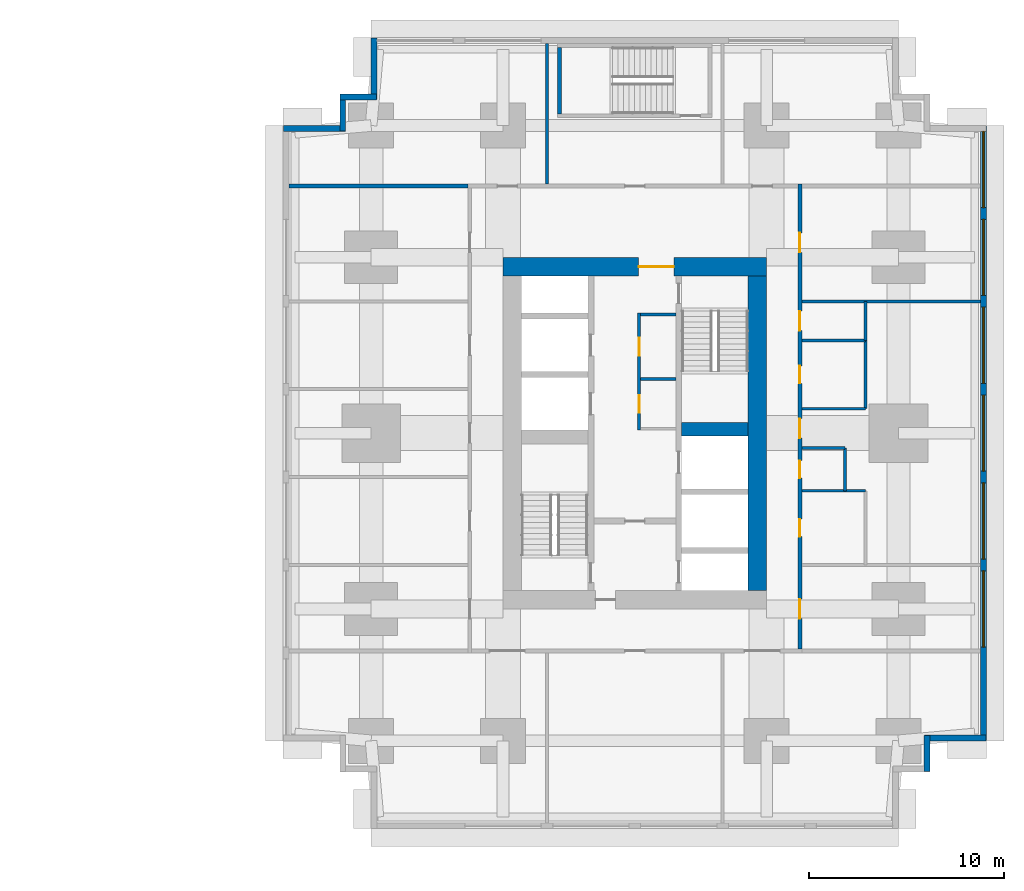
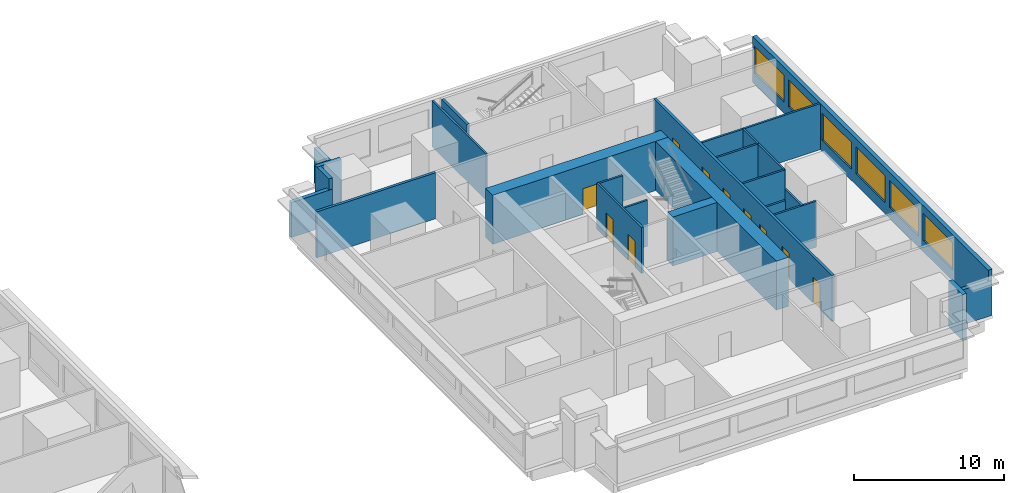
# One storey, part 7 of 11: 25 walls, 10 doors, 6 windows, 16 openings.
"""IFC4 building model written with IfcOpenShell, lengths in metres."""

from ifc_helpers import new_model, si_unit, direction, frame, frame_2d, origin, place, context, subcontext, project, spatial, rectangle, extrude, material, layer, layer_set, type_object, element, fill, save


model = new_model("IFC4")

# Units and contexts
model_context = context("Model", 3, precision=1e-05, world=origin(), true_north=direction((0.0, 1.0)))
body_context = subcontext(model_context, "Body", "Model", "MODEL_VIEW")
ifc_project = project(units=[si_unit("LENGTHUNIT", "METRE"), si_unit("AREAUNIT", "SQUARE_METRE"), si_unit("VOLUMEUNIT", "CUBIC_METRE"), si_unit("PLANEANGLEUNIT", "RADIAN"), si_unit("MASSUNIT", "GRAM", prefix="KILO")], contexts=[model_context])

# Site, building, storey
site_placement = place(None, origin())
site = spatial("IfcSite", under=ifc_project, at=site_placement, CompositionType="ELEMENT")
building_placement = place(site_placement, origin())
building = spatial("IfcBuilding", under=site, at=building_placement, Name="Namib Vertical Campus", CompositionType="ELEMENT")
storey_placement = place(building_placement, frame((0.0, 0.0, 25.0)))
storey = spatial("IfcBuildingStorey", under=building, at=storey_placement, Name="L05", CompositionType="ELEMENT", Elevation=25.0)

# Walls
ifc_material_1 = material(Name="Concrete C60/75", Category="concrete")
ifc_layer_1 = layer(ifc_material_1, 0.699951171875)
ifc_layer_set_1 = layer_set([ifc_layer_1], Name="Concrete C60/75")
wall_type_1 = type_object("IfcWallType", Name="Core shear wall 700", PredefinedType="SHEAR", material=ifc_layer_set_1)
wall_1_placement = place(storey_placement, frame((83.39990234375, 20.449951171875, 0.0), z_axis=(0.0, 0.0, 1.0), x_axis=(1.0, 0.0, 0.0)))
element("IfcWall", 1, at=wall_1_placement, inside=storey, type_object=wall_type_1, Name="Core shear wall B L05 W7", PredefinedType="SHEAR", context=body_context, shape_type="SweptSolid", body=[
    extrude(rectangle(XDim=3.400146484375, YDim=0.699951171875, at=frame_2d((1.7001953125, 0.0))), origin(), (0.0, 0.0, 1.0), 4.0),
])
ifc_material_2 = material(Name="Concrete C60/75", Category="concrete")
ifc_layer_2 = layer(ifc_material_2, 0.949951171875)
ifc_layer_set_2 = layer_set([ifc_layer_2], Name="Concrete C60/75")
wall_type_2 = type_object("IfcWallType", Name="Core wall 950", PredefinedType="SHEAR", material=ifc_layer_set_2)
wall_2_placement = place(storey_placement, frame((87.27490234375, 12.199951171875, 0.0), z_axis=(0.0, 0.0, 1.0), x_axis=(0.0, 1.0, 0.0)))
element("IfcWall", 2, at=wall_2_placement, inside=storey, type_object=wall_type_2, Name="Core wall B L05 2", PredefinedType="SHEAR", context=body_context, shape_type="SweptSolid", body=[
    extrude(rectangle(XDim=16.10009765625, YDim=0.949951171875, at=frame_2d((8.050048828125, 0.0))), origin(), (0.0, 0.0, 1.0), 4.0),
])

# Wall, opening, door
wall_3_placement = place(storey_placement, frame((87.75, 28.77490234375, 0.0), z_axis=(0.0, 0.0, 1.0), x_axis=(-1.0, 0.0, 0.0)))
wall_3 = element("IfcWall", 3, at=wall_3_placement, inside=storey, type_object=wall_type_2, Name="Core wall B L05 3", PredefinedType="SHEAR", context=body_context, shape_type="SweptSolid", body=[
    extrude(rectangle(XDim=13.5, YDim=0.949951171875, at=frame_2d((6.75, 0.0))), origin(), (0.0, 0.0, 1.0), 4.0),
])
opening_1_placement = place(wall_3_placement, frame((4.75, 0.0, 0.0)))
opening_1 = element("IfcOpeningElement", 4, at=opening_1_placement, cuts=wall_3, Name="Opening FD2", PredefinedType="OPENING", context=body_context, shape_type="SweptSolid", body=[
    extrude(rectangle(XDim=1.800048828125, YDim=2.10009765625, at=frame_2d((0.89990234375, 1.050048828125))), frame((0.0, 0.48486328125, 0.0), z_axis=(0.0, -1.0, 0.0), x_axis=(1.0, 0.0, 0.0)), (0.0, 0.0, 1.0), 0.969970703125),
])
ifc_material_3 = material(Name="Steel fire door", Category="steel")
door_type_1 = type_object("IfcDoorType", Name="Fire door double 1800x2100", OperationType="DOUBLE_DOOR_SINGLE_SWING", PredefinedType="DOOR", material=ifc_material_3)
door_1_placement = place(opening_1_placement, origin())
door_1 = element("IfcDoor", 5, at=door_1_placement, inside=storey, type_object=door_type_1, Name="Lift lobby door FD2 B L05", OperationType="DOUBLE_DOOR_SINGLE_SWING", OverallHeight=2.10009765625, OverallWidth=1.800048828125, PredefinedType="DOOR", context=body_context, shape_type="SweptSolid", body=[
    extrude(rectangle(XDim=1.800048828125, YDim=2.10009765625, at=frame_2d((0.89990234375, 1.050048828125))), frame((0.0, 0.02490234375, 0.0), z_axis=(0.0, -1.0, 0.0), x_axis=(1.0, 0.0, 0.0)), (0.0, 0.0, 1.0), 0.050048828125),
])
fill(opening_1, door_1)

# Wall, openings, doors
ifc_material_4 = material(Name="Concrete masonry", Category="masonry")
ifc_layer_3 = layer(ifc_material_4, 0.199951171875)
ifc_layer_set_3 = layer_set([ifc_layer_3], Name="Corridor wall 200")
wall_type_3 = type_object("IfcWallType", Name="Corridor wall 200", PredefinedType="SOLIDWALL", material=ifc_layer_set_3)
wall_4_placement = place(storey_placement, frame((89.449951171875, 9.199951171875, 0.0), z_axis=(0.0, 0.0, 1.0), x_axis=(0.0, 1.0, 0.0)))
wall_4 = element("IfcWall", 6, at=wall_4_placement, inside=storey, type_object=wall_type_3, Name="Corridor wall B L05 CE", PredefinedType="SOLIDWALL", context=body_context, shape_type="SweptSolid", body=[
    extrude(rectangle(XDim=23.800048828125, YDim=0.199951171875, at=frame_2d((11.89990234375, 0.0))), origin(), (0.0, 0.0, 1.0), 3.75),
])
opening_2_placement = place(wall_4_placement, frame((1.550048828125, 0.0, 0.0)))
opening_2 = element("IfcOpeningElement", 7, at=opening_2_placement, cuts=wall_4, Name="Opening CD1", PredefinedType="OPENING", context=body_context, shape_type="SweptSolid", body=[
    extrude(rectangle(XDim=1.0, YDim=2.10009765625, at=frame_2d((0.5, 1.050048828125))), frame((0.0, 0.10986328125, 0.0), z_axis=(0.0, -1.0, 0.0), x_axis=(1.0, 0.0, 0.0)), (0.0, 0.0, 1.0), 0.219970703125),
])
opening_3_placement = place(wall_4_placement, frame((5.75, 0.0, 0.0)))
opening_3 = element("IfcOpeningElement", 8, at=opening_3_placement, cuts=wall_4, Name="Opening CD3", PredefinedType="OPENING", context=body_context, shape_type="SweptSolid", body=[
    extrude(rectangle(XDim=0.89990234375, YDim=2.10009765625, at=frame_2d((0.449951171875, 1.050048828125))), frame((0.0, 0.10986328125, 0.0), z_axis=(0.0, -1.0, 0.0), x_axis=(1.0, 0.0, 0.0)), (0.0, 0.0, 1.0), 0.219970703125),
])
opening_4_placement = place(wall_4_placement, frame((8.75, 0.0, 0.0)))
opening_4 = element("IfcOpeningElement", 9, at=opening_4_placement, cuts=wall_4, Name="Opening CD3", PredefinedType="OPENING", context=body_context, shape_type="SweptSolid", body=[
    extrude(rectangle(XDim=0.89990234375, YDim=2.10009765625, at=frame_2d((0.449951171875, 1.050048828125))), frame((0.0, 0.10986328125, 0.0), z_axis=(0.0, -1.0, 0.0), x_axis=(1.0, 0.0, 0.0)), (0.0, 0.0, 1.0), 0.219970703125),
])
opening_5_placement = place(wall_4_placement, frame((13.60009765625, 0.0, 0.0)))
opening_5 = element("IfcOpeningElement", 10, at=opening_5_placement, cuts=wall_4, Name="Opening CD3", PredefinedType="OPENING", context=body_context, shape_type="SweptSolid", body=[
    extrude(rectangle(XDim=0.89990234375, YDim=2.10009765625, at=frame_2d((0.449951171875, 1.050048828125))), frame((0.0, 0.10986328125, 0.0), z_axis=(0.0, -1.0, 0.0), x_axis=(1.0, 0.0, 0.0)), (0.0, 0.0, 1.0), 0.219970703125),
])
opening_6_placement = place(wall_4_placement, frame((16.300048828125, 0.0, 0.0)))
opening_6 = element("IfcOpeningElement", 11, at=opening_6_placement, cuts=wall_4, Name="Opening CD1", PredefinedType="OPENING", context=body_context, shape_type="SweptSolid", body=[
    extrude(rectangle(XDim=1.0, YDim=2.10009765625, at=frame_2d((0.5, 1.050048828125))), frame((0.0, 0.10986328125, 0.0), z_axis=(0.0, -1.0, 0.0), x_axis=(1.0, 0.0, 0.0)), (0.0, 0.0, 1.0), 0.219970703125),
])
opening_7_placement = place(wall_4_placement, frame((10.800048828125, 0.0, 0.0)))
opening_7 = element("IfcOpeningElement", 12, at=opening_7_placement, cuts=wall_4, Name="Opening CD1", PredefinedType="OPENING", context=body_context, shape_type="SweptSolid", body=[
    extrude(rectangle(XDim=1.0, YDim=2.10009765625, at=frame_2d((0.5, 1.050048828125))), frame((0.0, 0.10986328125, 0.0), z_axis=(0.0, -1.0, 0.0), x_axis=(1.0, 0.0, 0.0)), (0.0, 0.0, 1.0), 0.219970703125),
])
opening_8_placement = place(wall_4_placement, frame((20.300048828125, 0.0, 0.0)))
opening_8 = element("IfcOpeningElement", 13, at=opening_8_placement, cuts=wall_4, Name="Opening CD1", PredefinedType="OPENING", context=body_context, shape_type="SweptSolid", body=[
    extrude(rectangle(XDim=1.0, YDim=2.10009765625, at=frame_2d((0.5, 1.050048828125))), frame((0.0, 0.10986328125, 0.0), z_axis=(0.0, -1.0, 0.0), x_axis=(1.0, 0.0, 0.0)), (0.0, 0.0, 1.0), 0.219970703125),
])
ifc_material_5 = material(Name="Timber fire door leaf", Category="wood")
door_type_2 = type_object("IfcDoorType", Name="Corridor door 1000x2100 20 min", OperationType="SINGLE_SWING_LEFT", PredefinedType="DOOR", material=ifc_material_5)
door_2_placement = place(opening_2_placement, frame((1.0, 0.0, 0.0), z_axis=(0.0, 0.0, 1.0), x_axis=(-1.0, 0.0, 0.0)))
door_2 = element("IfcDoor", 14, at=door_2_placement, inside=storey, type_object=door_type_2, Name="Door CD1 B05-04", OperationType="SINGLE_SWING_RIGHT", OverallHeight=2.10009765625, OverallWidth=1.0, PredefinedType="DOOR", context=body_context, shape_type="SweptSolid", body=[
    extrude(rectangle(XDim=1.0, YDim=2.10009765625, at=frame_2d((0.5, 1.050048828125))), frame((0.0, 0.02490234375, 0.0), z_axis=(0.0, -1.0, 0.0), x_axis=(1.0, 0.0, 0.0)), (0.0, 0.0, 1.0), 0.050048828125),
])
fill(opening_2, door_2)
door_3_placement = place(opening_6_placement, frame((1.0, 0.0, 0.0), z_axis=(0.0, 0.0, 1.0), x_axis=(-1.0, 0.0, 0.0)))
door_3 = element("IfcDoor", 15, at=door_3_placement, inside=storey, type_object=door_type_2, Name="Door CD1 B05-08", OperationType="SINGLE_SWING_RIGHT", OverallHeight=2.10009765625, OverallWidth=1.0, PredefinedType="DOOR", context=body_context, shape_type="SweptSolid", body=[
    extrude(rectangle(XDim=1.0, YDim=2.10009765625, at=frame_2d((0.5, 1.050048828125))), frame((0.0, 0.02490234375, 0.0), z_axis=(0.0, -1.0, 0.0), x_axis=(1.0, 0.0, 0.0)), (0.0, 0.0, 1.0), 0.050048828125),
])
fill(opening_6, door_3)
door_4_placement = place(opening_7_placement, frame((1.0, 0.0, 0.0), z_axis=(0.0, 0.0, 1.0), x_axis=(-1.0, 0.0, 0.0)))
door_4 = element("IfcDoor", 16, at=door_4_placement, inside=storey, type_object=door_type_2, Name="Door CD1 B05-09", OperationType="SINGLE_SWING_RIGHT", OverallHeight=2.10009765625, OverallWidth=1.0, PredefinedType="DOOR", context=body_context, shape_type="SweptSolid", body=[
    extrude(rectangle(XDim=1.0, YDim=2.10009765625, at=frame_2d((0.5, 1.050048828125))), frame((0.0, 0.02490234375, 0.0), z_axis=(0.0, -1.0, 0.0), x_axis=(1.0, 0.0, 0.0)), (0.0, 0.0, 1.0), 0.050048828125),
])
fill(opening_7, door_4)
door_5_placement = place(opening_8_placement, frame((1.0, 0.0, 0.0), z_axis=(0.0, 0.0, 1.0), x_axis=(-1.0, 0.0, 0.0)))
door_5 = element("IfcDoor", 17, at=door_5_placement, inside=storey, type_object=door_type_2, Name="Door CD1 B05-10", OperationType="SINGLE_SWING_RIGHT", OverallHeight=2.10009765625, OverallWidth=1.0, PredefinedType="DOOR", context=body_context, shape_type="SweptSolid", body=[
    extrude(rectangle(XDim=1.0, YDim=2.10009765625, at=frame_2d((0.5, 1.050048828125))), frame((0.0, 0.02490234375, 0.0), z_axis=(0.0, -1.0, 0.0), x_axis=(1.0, 0.0, 0.0)), (0.0, 0.0, 1.0), 0.050048828125),
])
fill(opening_8, door_5)
ifc_material_6 = material(Name="Timber fire door leaf", Category="wood")
door_type_3 = type_object("IfcDoorType", Name="Corridor toilet door 900x2100 20 min", OperationType="SINGLE_SWING_LEFT", PredefinedType="DOOR", material=ifc_material_6)
door_6_placement = place(opening_3_placement, frame((0.89990234375, 0.0, 0.0), z_axis=(0.0, 0.0, 1.0), x_axis=(-1.0, 0.0, 0.0)))
door_6 = element("IfcDoor", 18, at=door_6_placement, inside=storey, type_object=door_type_3, Name="Door CD3 B05-05", OperationType="SINGLE_SWING_RIGHT", OverallHeight=2.10009765625, OverallWidth=0.89990234375, PredefinedType="DOOR", context=body_context, shape_type="SweptSolid", body=[
    extrude(rectangle(XDim=0.89990234375, YDim=2.10009765625, at=frame_2d((0.449951171875, 1.050048828125))), frame((0.0, 0.02490234375, 0.0), z_axis=(0.0, -1.0, 0.0), x_axis=(1.0, 0.0, 0.0)), (0.0, 0.0, 1.0), 0.050048828125),
])
fill(opening_3, door_6)
door_7_placement = place(opening_4_placement, frame((0.89990234375, 0.0, 0.0), z_axis=(0.0, 0.0, 1.0), x_axis=(-1.0, 0.0, 0.0)))
door_7 = element("IfcDoor", 19, at=door_7_placement, inside=storey, type_object=door_type_3, Name="Door CD3 B05-06", OperationType="SINGLE_SWING_RIGHT", OverallHeight=2.10009765625, OverallWidth=0.89990234375, PredefinedType="DOOR", context=body_context, shape_type="SweptSolid", body=[
    extrude(rectangle(XDim=0.89990234375, YDim=2.10009765625, at=frame_2d((0.449951171875, 1.050048828125))), frame((0.0, 0.02490234375, 0.0), z_axis=(0.0, -1.0, 0.0), x_axis=(1.0, 0.0, 0.0)), (0.0, 0.0, 1.0), 0.050048828125),
])
fill(opening_4, door_7)
door_8_placement = place(opening_5_placement, frame((0.89990234375, 0.0, 0.0), z_axis=(0.0, 0.0, 1.0), x_axis=(-1.0, 0.0, 0.0)))
door_8 = element("IfcDoor", 20, at=door_8_placement, inside=storey, type_object=door_type_3, Name="Door CD3 B05-07", OperationType="SINGLE_SWING_RIGHT", OverallHeight=2.10009765625, OverallWidth=0.89990234375, PredefinedType="DOOR", context=body_context, shape_type="SweptSolid", body=[
    extrude(rectangle(XDim=0.89990234375, YDim=2.10009765625, at=frame_2d((0.449951171875, 1.050048828125))), frame((0.0, 0.02490234375, 0.0), z_axis=(0.0, -1.0, 0.0), x_axis=(1.0, 0.0, 0.0)), (0.0, 0.0, 1.0), 0.050048828125),
])
fill(opening_5, door_8)

# Walls
wall_5_placement = place(storey_placement, frame((63.300048828125, 32.89990234375, 0.0), z_axis=(0.0, 0.0, 1.0), x_axis=(1.0, 0.0, 0.0)))
element("IfcWall", 21, at=wall_5_placement, inside=storey, type_object=wall_type_3, Name="Partition B L05 BNW", PredefinedType="SOLIDWALL", context=body_context, shape_type="SweptSolid", body=[
    extrude(rectangle(XDim=9.14990234375, YDim=0.199951171875, at=frame_2d((4.574951171875, 0.0))), origin(), (0.0, 0.0, 1.0), 3.75),
])
ifc_material_7 = material(Name="Concrete C40/50", Category="concrete")
ifc_layer_4 = layer(ifc_material_7, 0.300048828125)
ifc_layer_set_4 = layer_set([ifc_layer_4], Name="Concrete C40/50")
wall_type_4 = type_object("IfcWallType", Name="External wall 300 board-marked concrete", PredefinedType="STANDARD", material=ifc_layer_set_4)
wall_6_placement = place(storey_placement, frame((95.949951171875, 2.919921875, 0.0), z_axis=(0.0, 0.0, 1.0), x_axis=(0.0, 1.0, 0.0)))
element("IfcWall", 22, at=wall_6_placement, inside=storey, type_object=wall_type_4, Name="External wall L05 F04", PredefinedType="STANDARD", context=body_context, shape_type="SweptSolid", body=[
    extrude(rectangle(XDim=1.860107421875, YDim=0.300048828125, at=frame_2d((0.93017578125, 0.0))), origin(), (0.0, 0.0, 1.0), 3.75),
])
wall_7_placement = place(storey_placement, frame((95.820068359375, 4.64990234375, 0.0), z_axis=(0.0, 0.0, 1.0), x_axis=(1.0, 0.0, 0.0)))
element("IfcWall", 23, at=wall_7_placement, inside=storey, type_object=wall_type_4, Name="External wall L05 F05", PredefinedType="STANDARD", context=body_context, shape_type="SweptSolid", body=[
    extrude(rectangle(XDim=3.159912109375, YDim=0.300048828125, at=frame_2d((1.580078125, 0.0))), origin(), (0.0, 0.0, 1.0), 2.85009765625),
])

# Wall, openings, windows
wall_8_placement = place(storey_placement, frame((98.85009765625, 4.52001953125, 0.0), z_axis=(0.0, 0.0, 1.0), x_axis=(0.0, 1.0, 0.0)))
wall_8 = element("IfcWall", 24, at=wall_8_placement, inside=storey, type_object=wall_type_4, Name="External wall L05 F06", PredefinedType="STANDARD", context=body_context, shape_type="SweptSolid", body=[
    extrude(rectangle(XDim=31.4599609375, YDim=0.300048828125, at=frame_2d((15.72998046875, 0.0))), origin(), (0.0, 0.0, 1.0), 3.75),
])
opening_9_placement = place(wall_8_placement, frame((4.780029296875, 0.0, 0.89990234375)))
opening_9 = element("IfcOpeningElement", 25, at=opening_9_placement, cuts=wall_8, Name="Opening W1", PredefinedType="OPENING", context=body_context, shape_type="SweptSolid", body=[
    extrude(rectangle(XDim=3.89990234375, YDim=2.199951171875, at=frame_2d((1.949951171875, 1.10009765625))), frame((0.0, 0.159912109375, 0.0), z_axis=(0.0, -1.0, 0.0), x_axis=(1.0, 0.0, 0.0)), (0.0, 0.0, 1.0), 0.320068359375),
])
opening_10_placement = place(wall_8_placement, frame((9.280029296875, 0.0, 0.89990234375)))
opening_10 = element("IfcOpeningElement", 26, at=opening_10_placement, cuts=wall_8, Name="Opening W1", PredefinedType="OPENING", context=body_context, shape_type="SweptSolid", body=[
    extrude(rectangle(XDim=3.89990234375, YDim=2.199951171875, at=frame_2d((1.949951171875, 1.10009765625))), frame((0.0, 0.159912109375, 0.0), z_axis=(0.0, -1.0, 0.0), x_axis=(1.0, 0.0, 0.0)), (0.0, 0.0, 1.0), 0.320068359375),
])
opening_11_placement = place(wall_8_placement, frame((13.780029296875, 0.0, 0.89990234375)))
opening_11 = element("IfcOpeningElement", 27, at=opening_11_placement, cuts=wall_8, Name="Opening W1", PredefinedType="OPENING", context=body_context, shape_type="SweptSolid", body=[
    extrude(rectangle(XDim=3.89990234375, YDim=2.199951171875, at=frame_2d((1.949951171875, 1.10009765625))), frame((0.0, 0.159912109375, 0.0), z_axis=(0.0, -1.0, 0.0), x_axis=(1.0, 0.0, 0.0)), (0.0, 0.0, 1.0), 0.320068359375),
])
opening_12_placement = place(wall_8_placement, frame((18.280029296875, 0.0, 0.89990234375)))
opening_12 = element("IfcOpeningElement", 28, at=opening_12_placement, cuts=wall_8, Name="Opening W1", PredefinedType="OPENING", context=body_context, shape_type="SweptSolid", body=[
    extrude(rectangle(XDim=3.89990234375, YDim=2.199951171875, at=frame_2d((1.949951171875, 1.10009765625))), frame((0.0, 0.159912109375, 0.0), z_axis=(0.0, -1.0, 0.0), x_axis=(1.0, 0.0, 0.0)), (0.0, 0.0, 1.0), 0.320068359375),
])
opening_13_placement = place(wall_8_placement, frame((22.780029296875, 0.0, 0.89990234375)))
opening_13 = element("IfcOpeningElement", 29, at=opening_13_placement, cuts=wall_8, Name="Opening W1", PredefinedType="OPENING", context=body_context, shape_type="SweptSolid", body=[
    extrude(rectangle(XDim=3.89990234375, YDim=2.199951171875, at=frame_2d((1.949951171875, 1.10009765625))), frame((0.0, 0.159912109375, 0.0), z_axis=(0.0, -1.0, 0.0), x_axis=(1.0, 0.0, 0.0)), (0.0, 0.0, 1.0), 0.320068359375),
])
opening_14_placement = place(wall_8_placement, frame((27.280029296875, 0.0, 0.89990234375)))
opening_14 = element("IfcOpeningElement", 30, at=opening_14_placement, cuts=wall_8, Name="Opening W1", PredefinedType="OPENING", context=body_context, shape_type="SweptSolid", body=[
    extrude(rectangle(XDim=3.89990234375, YDim=2.199951171875, at=frame_2d((1.949951171875, 1.10009765625))), frame((0.0, 0.159912109375, 0.0), z_axis=(0.0, -1.0, 0.0), x_axis=(1.0, 0.0, 0.0)), (0.0, 0.0, 1.0), 0.320068359375),
])
ifc_material_8 = material(Name="Dark tinted glass in black aluminium frame", Category="aluminium")
window_type = type_object("IfcWindowType", Name="Ribbon window 3900x2200", PartitioningType="SINGLE_PANEL", PredefinedType="WINDOW", material=ifc_material_8)
window_1_placement = place(opening_9_placement, origin())
window_1 = element("IfcWindow", 31, at=window_1_placement, inside=storey, type_object=window_type, Name="Window W1 L05 F06-2", OverallHeight=2.199951171875, OverallWidth=3.89990234375, PartitioningType="SINGLE_PANEL", PredefinedType="WINDOW", context=body_context, shape_type="SweptSolid", body=[
    extrude(rectangle(XDim=3.89990234375, YDim=2.199951171875, at=frame_2d((1.949951171875, 1.10009765625))), frame((0.0, 0.030029296875, 0.0), z_axis=(0.0, -1.0, 0.0), x_axis=(1.0, 0.0, 0.0)), (0.0, 0.0, 1.0), 0.06005859375),
])
fill(opening_9, window_1)
window_2_placement = place(opening_10_placement, origin())
window_2 = element("IfcWindow", 32, at=window_2_placement, inside=storey, type_object=window_type, Name="Window W1 L05 F06-3", OverallHeight=2.199951171875, OverallWidth=3.89990234375, PartitioningType="SINGLE_PANEL", PredefinedType="WINDOW", context=body_context, shape_type="SweptSolid", body=[
    extrude(rectangle(XDim=3.89990234375, YDim=2.199951171875, at=frame_2d((1.949951171875, 1.10009765625))), frame((0.0, 0.030029296875, 0.0), z_axis=(0.0, -1.0, 0.0), x_axis=(1.0, 0.0, 0.0)), (0.0, 0.0, 1.0), 0.06005859375),
])
fill(opening_10, window_2)
window_3_placement = place(opening_11_placement, origin())
window_3 = element("IfcWindow", 33, at=window_3_placement, inside=storey, type_object=window_type, Name="Window W1 L05 F06-4", OverallHeight=2.199951171875, OverallWidth=3.89990234375, PartitioningType="SINGLE_PANEL", PredefinedType="WINDOW", context=body_context, shape_type="SweptSolid", body=[
    extrude(rectangle(XDim=3.89990234375, YDim=2.199951171875, at=frame_2d((1.949951171875, 1.10009765625))), frame((0.0, 0.030029296875, 0.0), z_axis=(0.0, -1.0, 0.0), x_axis=(1.0, 0.0, 0.0)), (0.0, 0.0, 1.0), 0.06005859375),
])
fill(opening_11, window_3)
window_4_placement = place(opening_12_placement, origin())
window_4 = element("IfcWindow", 34, at=window_4_placement, inside=storey, type_object=window_type, Name="Window W1 L05 F06-5", OverallHeight=2.199951171875, OverallWidth=3.89990234375, PartitioningType="SINGLE_PANEL", PredefinedType="WINDOW", context=body_context, shape_type="SweptSolid", body=[
    extrude(rectangle(XDim=3.89990234375, YDim=2.199951171875, at=frame_2d((1.949951171875, 1.10009765625))), frame((0.0, 0.030029296875, 0.0), z_axis=(0.0, -1.0, 0.0), x_axis=(1.0, 0.0, 0.0)), (0.0, 0.0, 1.0), 0.06005859375),
])
fill(opening_12, window_4)
window_5_placement = place(opening_13_placement, origin())
window_5 = element("IfcWindow", 35, at=window_5_placement, inside=storey, type_object=window_type, Name="Window W1 L05 F06-6", OverallHeight=2.199951171875, OverallWidth=3.89990234375, PartitioningType="SINGLE_PANEL", PredefinedType="WINDOW", context=body_context, shape_type="SweptSolid", body=[
    extrude(rectangle(XDim=3.89990234375, YDim=2.199951171875, at=frame_2d((1.949951171875, 1.10009765625))), frame((0.0, 0.030029296875, 0.0), z_axis=(0.0, -1.0, 0.0), x_axis=(1.0, 0.0, 0.0)), (0.0, 0.0, 1.0), 0.06005859375),
])
fill(opening_13, window_5)
window_6_placement = place(opening_14_placement, origin())
window_6 = element("IfcWindow", 36, at=window_6_placement, inside=storey, type_object=window_type, Name="Window W1 L05 F06-7", OverallHeight=2.199951171875, OverallWidth=3.89990234375, PartitioningType="SINGLE_PANEL", PredefinedType="WINDOW", context=body_context, shape_type="SweptSolid", body=[
    extrude(rectangle(XDim=3.89990234375, YDim=2.199951171875, at=frame_2d((1.949951171875, 1.10009765625))), frame((0.0, 0.030029296875, 0.0), z_axis=(0.0, -1.0, 0.0), x_axis=(1.0, 0.0, 0.0)), (0.0, 0.0, 1.0), 0.06005859375),
])
fill(opening_14, window_6)

# Walls
wall_9_placement = place(storey_placement, frame((67.64990234375, 40.47998046875, 0.0), z_axis=(0.0, 0.0, 1.0), x_axis=(0.0, -1.0, 0.0)))
element("IfcWall", 37, at=wall_9_placement, inside=storey, type_object=wall_type_4, Name="External wall L05 F12", PredefinedType="STANDARD", context=body_context, shape_type="SweptSolid", body=[
    extrude(rectangle(XDim=3.159912109375, YDim=0.300048828125, at=frame_2d((1.580078125, 0.0))), origin(), (0.0, 0.0, 1.0), 2.85009765625),
])
for number, where, z_axis, x_axis, name in (
    (38, (67.780029296875, 37.449951171875, 0.0), (0.0, 0.0, 1.0), (-1.0, 0.0, 0.0), "External wall L05 F13"),
    (39, (66.050048828125, 37.580078125, 0.0), (0.0, 0.0, 1.0), (0.0, -1.0, 0.0), "External wall L05 F14"),
):
    element("IfcWall", number, at=place(storey_placement, frame(where, z_axis=z_axis, x_axis=x_axis)), inside=storey, type_object=wall_type_4, Name=name, PredefinedType="STANDARD", context=body_context, shape_type="SweptSolid", body=[
        extrude(rectangle(XDim=1.860107421875, YDim=0.300048828125, at=frame_2d((0.93017578125, 0.0))), origin(), (0.0, 0.0, 1.0), 3.75),
    ])
wall_10_placement = place(storey_placement, frame((66.179931640625, 35.85009765625, 0.0), z_axis=(0.0, 0.0, 1.0), x_axis=(-1.0, 0.0, 0.0)))
element("IfcWall", 40, at=wall_10_placement, inside=storey, type_object=wall_type_4, Name="External wall L05 F15", PredefinedType="STANDARD", context=body_context, shape_type="SweptSolid", body=[
    extrude(rectangle(XDim=3.159912109375, YDim=0.300048828125, at=frame_2d((1.580078125, 0.0))), origin(), (0.0, 0.0, 1.0), 2.85009765625),
])

# Wall, openings, doors
ifc_material_9 = material(Name="Gypsum board on steel studs", Category="steel")
ifc_layer_5 = layer(ifc_material_9, 0.14990234375)
ifc_layer_set_5 = layer_set([ifc_layer_5], Name="Gypsum board on steel studs")
wall_type_5 = type_object("IfcWallType", Name="Partition 150", PredefinedType="PARTITIONING", material=ifc_layer_set_5)
wall_11_placement = place(storey_placement, frame((81.22509765625, 20.39990234375, 0.0), z_axis=(0.0, 0.0, 1.0), x_axis=(0.0, 1.0, 0.0)))
wall_11 = element("IfcWall", 41, at=wall_11_placement, inside=storey, type_object=wall_type_5, Name="Partition B L05 Comms room and Store front", PredefinedType="PARTITIONING", context=body_context, shape_type="SweptSolid", body=[
    extrude(rectangle(XDim=6.0, YDim=0.14990234375, at=frame_2d((3.0, 0.0))), origin(), (0.0, 0.0, 1.0), 3.75),
])
opening_15_placement = place(wall_11_placement, frame((0.89990234375, 0.0, 0.0)))
opening_15 = element("IfcOpeningElement", 42, at=opening_15_placement, cuts=wall_11, Name="Opening D3", PredefinedType="OPENING", context=body_context, shape_type="SweptSolid", body=[
    extrude(rectangle(XDim=0.89990234375, YDim=2.10009765625, at=frame_2d((0.449951171875, 1.050048828125))), frame((0.0, 0.0849609375, 0.0), z_axis=(0.0, -1.0, 0.0), x_axis=(1.0, 0.0, 0.0)), (0.0, 0.0, 1.0), 0.169921875),
])
opening_16_placement = place(wall_11_placement, frame((3.824951171875, 0.0, 0.0)))
opening_16 = element("IfcOpeningElement", 43, at=opening_16_placement, cuts=wall_11, Name="Opening D3", PredefinedType="OPENING", context=body_context, shape_type="SweptSolid", body=[
    extrude(rectangle(XDim=0.89990234375, YDim=2.10009765625, at=frame_2d((0.449951171875, 1.050048828125))), frame((0.0, 0.0849609375, 0.0), z_axis=(0.0, -1.0, 0.0), x_axis=(1.0, 0.0, 0.0)), (0.0, 0.0, 1.0), 0.169921875),
])
ifc_material_10 = material(Name="Timber door leaf", Category="wood")
door_type_4 = type_object("IfcDoorType", Name="Toilet door 900x2100", OperationType="SINGLE_SWING_LEFT", PredefinedType="DOOR", material=ifc_material_10)
door_9_placement = place(opening_15_placement, frame((0.89990234375, 0.0, 0.0), z_axis=(0.0, 0.0, 1.0), x_axis=(-1.0, 0.0, 0.0)))
door_9 = element("IfcDoor", 44, at=door_9_placement, inside=storey, type_object=door_type_4, Name="Door D3 Comms room B L05", OperationType="SINGLE_SWING_RIGHT", OverallHeight=2.10009765625, OverallWidth=0.89990234375, PredefinedType="DOOR", context=body_context, shape_type="SweptSolid", body=[
    extrude(rectangle(XDim=0.89990234375, YDim=2.10009765625, at=frame_2d((0.449951171875, 1.050048828125))), frame((0.0, 0.02490234375, 0.0), z_axis=(0.0, -1.0, 0.0), x_axis=(1.0, 0.0, 0.0)), (0.0, 0.0, 1.0), 0.050048828125),
])
fill(opening_15, door_9)
door_10_placement = place(opening_16_placement, frame((0.89990234375, 0.0, 0.0), z_axis=(0.0, 0.0, 1.0), x_axis=(-1.0, 0.0, 0.0)))
door_10 = element("IfcDoor", 45, at=door_10_placement, inside=storey, type_object=door_type_4, Name="Door D3 Store B L05", OperationType="SINGLE_SWING_RIGHT", OverallHeight=2.10009765625, OverallWidth=0.89990234375, PredefinedType="DOOR", context=body_context, shape_type="SweptSolid", body=[
    extrude(rectangle(XDim=0.89990234375, YDim=2.10009765625, at=frame_2d((0.449951171875, 1.050048828125))), frame((0.0, 0.02490234375, 0.0), z_axis=(0.0, -1.0, 0.0), x_axis=(1.0, 0.0, 0.0)), (0.0, 0.0, 1.0), 0.050048828125),
])
fill(opening_16, door_10)

# Walls
for number, where, z_axis, x_axis, name in (
    (46, (81.300048828125, 23.02490234375, 0.0), (0.0, 0.0, 1.0), (1.0, 0.0, 0.0), "Partition B L05 Comms room and Store division 2"),
    (47, (81.300048828125, 26.324951171875, 0.0), (0.0, 0.0, 1.0), (1.0, 0.0, 0.0), "Partition B L05 Comms room and Store end 3"),
):
    element("IfcWall", number, at=place(storey_placement, frame(where, z_axis=z_axis, x_axis=x_axis)), inside=storey, type_object=wall_type_5, Name=name, PredefinedType="PARTITIONING", context=body_context, shape_type="SweptSolid", body=[
        extrude(rectangle(XDim=1.800048828125, YDim=0.14990234375, at=frame_2d((0.89990234375, 0.0))), origin(), (0.0, 0.0, 1.0), 3.75),
    ])
wall_12_placement = place(storey_placement, frame((76.5, 33.0, 0.0), z_axis=(0.0, 0.0, 1.0), x_axis=(0.0, 1.0, 0.0)))
element("IfcWall", 48, at=wall_12_placement, inside=storey, type_object=wall_type_5, Name="Partition B L05 PN1", PredefinedType="PARTITIONING", context=body_context, shape_type="SweptSolid", body=[
    extrude(rectangle(XDim=7.199951171875, YDim=0.14990234375, at=frame_2d((3.60009765625, 0.0))), origin(), (0.0, 0.0, 1.0), 3.75),
])
wall_13_placement = place(storey_placement, frame((89.550048828125, 27.0, 0.0), z_axis=(0.0, 0.0, 1.0), x_axis=(1.0, 0.0, 0.0)))
element("IfcWall", 49, at=wall_13_placement, inside=storey, type_object=wall_type_5, Name="Partition B L05 PE2", PredefinedType="PARTITIONING", context=body_context, shape_type="SweptSolid", body=[
    extrude(rectangle(XDim=9.14990234375, YDim=0.14990234375, at=frame_2d((4.574951171875, 0.0))), origin(), (0.0, 0.0, 1.0), 3.75),
])
wall_14_placement = place(storey_placement, frame((89.550048828125, 17.300048828125, 0.0), z_axis=(0.0, 0.0, 1.0), x_axis=(1.0, 0.0, 0.0)))
element("IfcWall", 50, at=wall_14_placement, inside=storey, type_object=wall_type_5, Name="Partition B L05 WR1", PredefinedType="PARTITIONING", context=body_context, shape_type="SweptSolid", body=[
    extrude(rectangle(XDim=3.25, YDim=0.14990234375, at=frame_2d((1.625, 0.0))), origin(), (0.0, 0.0, 1.0), 3.75),
])
wall_15_placement = place(storey_placement, frame((89.550048828125, 19.5, 0.0), z_axis=(0.0, 0.0, 1.0), x_axis=(1.0, 0.0, 0.0)))
element("IfcWall", 51, at=wall_15_placement, inside=storey, type_object=wall_type_5, Name="Partition B L05 WR2", PredefinedType="PARTITIONING", context=body_context, shape_type="SweptSolid", body=[
    extrude(rectangle(XDim=2.199951171875, YDim=0.14990234375, at=frame_2d((1.10009765625, 0.0))), origin(), (0.0, 0.0, 1.0), 2.85009765625),
])
for number, where, z_axis, x_axis, name in (
    (52, (89.550048828125, 21.5, 0.0), (0.0, 0.0, 1.0), (1.0, 0.0, 0.0), "Partition B L05 WR3"),
    (53, (89.550048828125, 25.0, 0.0), (0.0, 0.0, 1.0), (1.0, 0.0, 0.0), "Partition B L05 WR4"),
):
    element("IfcWall", number, at=place(storey_placement, frame(where, z_axis=z_axis, x_axis=x_axis)), inside=storey, type_object=wall_type_5, Name=name, PredefinedType="PARTITIONING", context=body_context, shape_type="SweptSolid", body=[
        extrude(rectangle(XDim=3.25, YDim=0.14990234375, at=frame_2d((1.625, 0.0))), origin(), (0.0, 0.0, 1.0), 3.75),
    ])
wall_16_placement = place(storey_placement, frame((91.75, 17.300048828125, 0.0), z_axis=(0.0, 0.0, 1.0), x_axis=(0.0, 1.0, 0.0)))
element("IfcWall", 54, at=wall_16_placement, inside=storey, type_object=wall_type_5, Name="Partition B L05 WB2", PredefinedType="PARTITIONING", context=body_context, shape_type="SweptSolid", body=[
    extrude(rectangle(XDim=2.199951171875, YDim=0.14990234375, at=frame_2d((1.10009765625, 0.0))), origin(), (0.0, 0.0, 1.0), 3.75),
])
wall_17_placement = place(storey_placement, frame((92.800048828125, 21.5, 0.0), z_axis=(0.0, 0.0, 1.0), x_axis=(0.0, 1.0, 0.0)))
element("IfcWall", 55, at=wall_17_placement, inside=storey, type_object=wall_type_5, Name="Partition B L05 WB3", PredefinedType="PARTITIONING", context=body_context, shape_type="SweptSolid", body=[
    extrude(rectangle(XDim=3.5, YDim=0.14990234375, at=frame_2d((1.75, 0.0))), origin(), (0.0, 0.0, 1.0), 3.75),
])
wall_18_placement = place(storey_placement, frame((92.800048828125, 25.0, 0.0), z_axis=(0.0, 0.0, 1.0), x_axis=(0.0, 1.0, 0.0)))
element("IfcWall", 56, at=wall_18_placement, inside=storey, type_object=wall_type_5, Name="Partition B L05 WB4", PredefinedType="PARTITIONING", context=body_context, shape_type="SweptSolid", body=[
    extrude(rectangle(XDim=2.0, YDim=0.14990234375, at=frame_2d((1.0, 0.0))), origin(), (0.0, 0.0, 1.0), 3.75),
])
ifc_material_11 = material(Name="Concrete C40/50", Category="concrete")
ifc_layer_6 = layer(ifc_material_11, 0.199951171875)
ifc_layer_set_6 = layer_set([ifc_layer_6], Name="Concrete C40/50")
wall_type_6 = type_object("IfcWallType", Name="Stair enclosure wall RC 200", PredefinedType="SOLIDWALL", material=ifc_layer_set_6)
wall_19_placement = place(storey_placement, frame((77.14990234375, 36.60009765625, 0.0), z_axis=(0.0, 0.0, 1.0), x_axis=(0.0, 1.0, 0.0)))
element("IfcWall", 57, at=wall_19_placement, inside=storey, type_object=wall_type_6, Name="Stair enclosure wall B-S3 L05 W", PredefinedType="SOLIDWALL", context=body_context, shape_type="SweptSolid", body=[
    extrude(rectangle(XDim=3.39990234375, YDim=0.199951171875, at=frame_2d((1.699951171875, 0.0))), origin(), (0.0, 0.0, 1.0), 3.75),
])

save(model, "model.ifc")
